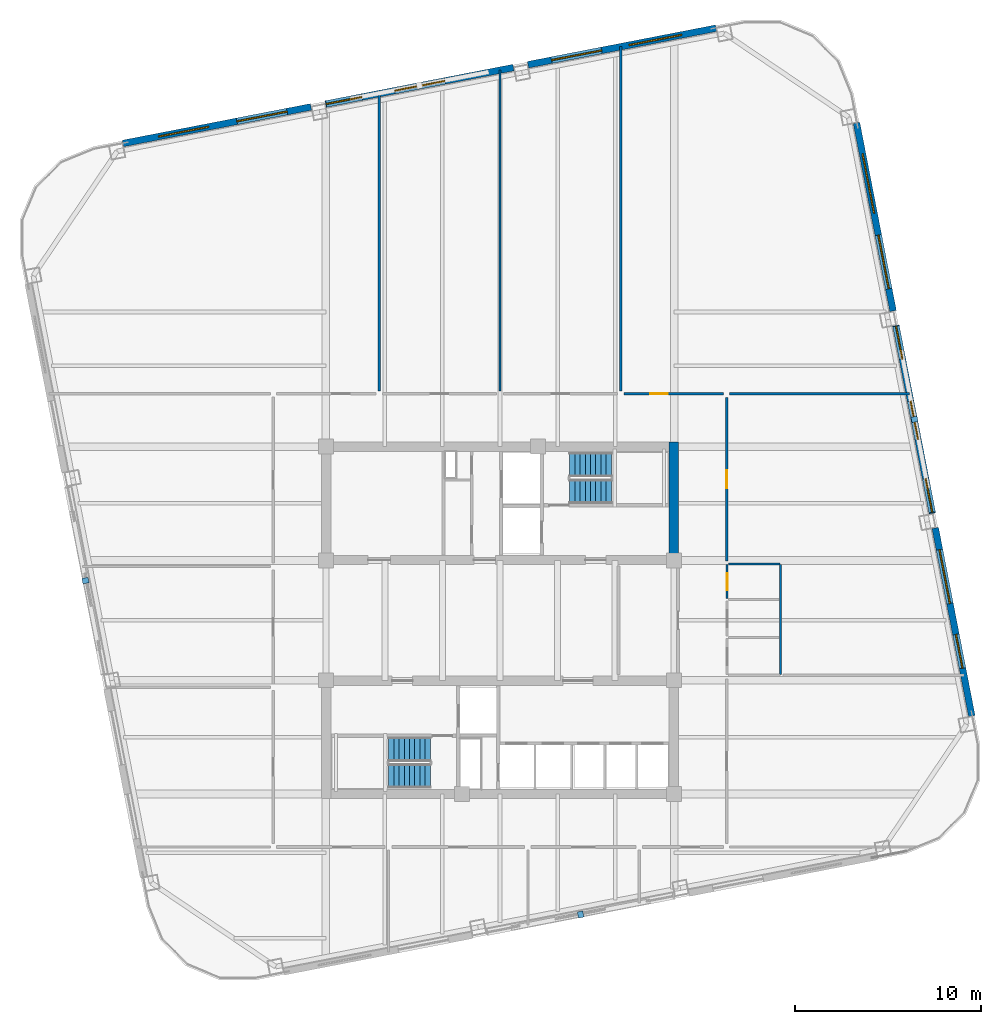
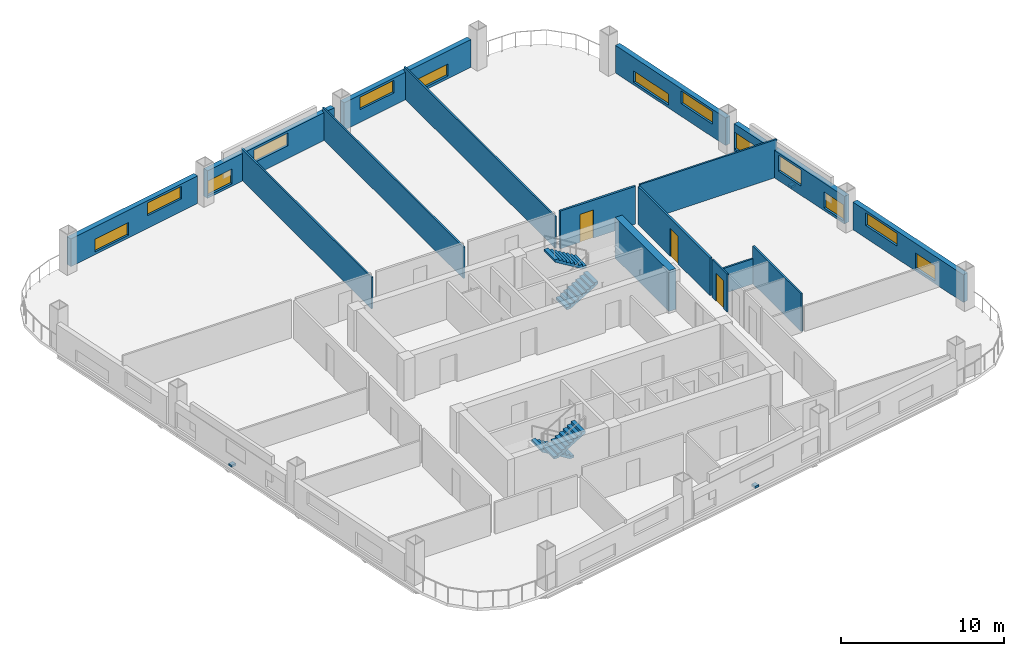
# One storey, part 5 of 9: 16 walls, 13 windows, 4 stair flights, 3 discrete accessories, 3 doors, 16 openings, 2 elements without a shape of their own.
"""IFC4 building model written with IfcOpenShell, lengths in metres."""

from ifc_helpers import new_model, si_unit, direction, frame, frame_2d, origin, origin_2d, place, context, subcontext, project, spatial, polyline, rectangle, outline, extrude, material, layer, layer_set, type_object, element, fill, aggregate, save


model = new_model("IFC4")

# Units and contexts
model_context = context("Model", 3, precision=1e-05, world=origin(), true_north=direction((0.0, 1.0)))
body_context = subcontext(model_context, "Body", "Model", "MODEL_VIEW")
ifc_project = project(units=[si_unit("LENGTHUNIT", "METRE"), si_unit("AREAUNIT", "SQUARE_METRE"), si_unit("VOLUMEUNIT", "CUBIC_METRE"), si_unit("PLANEANGLEUNIT", "RADIAN"), si_unit("MASSUNIT", "GRAM", prefix="KILO")], contexts=[model_context])

# Site, building, storey
site_placement = place(None, origin())
site = spatial("IfcSite", under=ifc_project, at=site_placement, CompositionType="ELEMENT")
building_placement = place(site_placement, origin())
building = spatial("IfcBuilding", under=site, at=building_placement, Name="Qhalaya Broadcast Tower", CompositionType="ELEMENT")
storey_placement = place(building_placement, frame((0.0, 0.0, 134.14990234375)))
storey = spatial("IfcBuildingStorey", under=building, at=storey_placement, Name="L39", CompositionType="ELEMENT", Elevation=134.14990234375)

# Wall, opening, door
ifc_material_1 = material(Name="Gypsum Acoustic Partition")
ifc_layer_1 = layer(ifc_material_1, 0.14990234375, Name="Gypsum Acoustic Partition")
ifc_layer_set_1 = layer_set([ifc_layer_1], Name="Gypsum Acoustic Partition")
wall_type_1 = type_object("IfcWallType", Name="Corridor & Tenancy Acoustic Partition 150", PredefinedType="PARTITIONING", material=ifc_layer_set_1)
wall_1_placement = place(storey_placement, frame((6.679931640625, 12.800048828125, 0.0), z_axis=(0.0, 0.0, 1.0), x_axis=(1.0, 0.0, 0.0)))
wall_1 = element("IfcWall", 1, at=wall_1_placement, inside=storey, type_object=wall_type_1, Name="L39 Partition Wall W-COR-04", PredefinedType="PARTITIONING", context=body_context, shape_type="SweptSolid", body=[
    extrude(rectangle(XDim=5.340087890625, YDim=0.14990234375, at=frame_2d((2.669921875, 0.0))), origin(), (0.0, 0.0, 1.0), 2.830078125),
])
opening_1_placement = place(wall_1_placement, frame((1.39501953125, 0.0, 0.0)))
opening_1 = element("IfcOpeningElement", 2, at=opening_1_placement, cuts=wall_1, Name="Opening D10", PredefinedType="OPENING", context=body_context, shape_type="SweptSolid", body=[
    extrude(rectangle(XDim=0.949951171875, YDim=2.10009765625, at=frame_2d((0.47509765625, 1.050048828125))), frame((0.0, 0.0869140625, 0.0), z_axis=(0.0, -1.0, 0.0), x_axis=(1.0, 0.0, 0.0)), (0.0, 0.0, 1.0), 0.173828125),
])
ifc_material_2 = material(Name="Timber Veneer Acoustic Door", Category="wood")
door_type_1 = type_object("IfcDoorType", Name="Cellular Office & Edit Booth Door D10", OperationType="NOTDEFINED", PredefinedType="DOOR", material=ifc_material_2)
door_1_placement = place(opening_1_placement, origin())
door_1 = element("IfcDoor", 3, at=door_1_placement, inside=storey, type_object=door_type_1, Name="L39 Door D-RM04", OperationType="SINGLE_SWING_RIGHT", OverallHeight=2.10009765625, OverallWidth=0.949951171875, PredefinedType="DOOR", context=body_context, shape_type="SweptSolid", body=[
    extrude(rectangle(XDim=0.949951171875, YDim=2.10009765625, at=frame_2d((0.47509765625, 1.050048828125))), frame((0.0, 0.02490234375, 0.0), z_axis=(0.0, -1.0, 0.0), x_axis=(1.0, 0.0, 0.0)), (0.0, 0.0, 1.0), 0.050048828125),
])
fill(opening_1, door_1)

wall_2_placement = place(storey_placement, frame((12.199951171875, 3.800048828125, 0.0), z_axis=(0.0, 0.0, 1.0), x_axis=(0.0, 1.0, 0.0)))
wall_2 = element("IfcWall", 4, at=wall_2_placement, inside=storey, type_object=wall_type_1, Name="L39 Partition Wall W-COR-13", PredefinedType="PARTITIONING", context=body_context, shape_type="SweptSolid", body=[
    extrude(rectangle(XDim=8.800048828125, YDim=0.14990234375, at=frame_2d((4.39990234375, 0.0))), origin(), (0.0, 0.0, 1.0), 2.830078125),
])
opening_2_placement = place(wall_2_placement, frame((3.925048828125, 0.0, 0.0)))
opening_2 = element("IfcOpeningElement", 5, at=opening_2_placement, cuts=wall_2, Name="Opening D10", PredefinedType="OPENING", context=body_context, shape_type="SweptSolid", body=[
    extrude(rectangle(XDim=0.949951171875, YDim=2.10009765625, at=frame_2d((0.47509765625, 1.050048828125))), frame((0.0, 0.0869140625, 0.0), z_axis=(0.0, -1.0, 0.0), x_axis=(1.0, 0.0, 0.0)), (0.0, 0.0, 1.0), 0.173828125),
])
door_2_placement = place(opening_2_placement, origin())
door_2 = element("IfcDoor", 6, at=door_2_placement, inside=storey, type_object=door_type_1, Name="L39 Door D-RM13", OperationType="SINGLE_SWING_LEFT", OverallHeight=2.10009765625, OverallWidth=0.949951171875, PredefinedType="DOOR", context=body_context, shape_type="SweptSolid", body=[
    extrude(rectangle(XDim=0.949951171875, YDim=2.10009765625, at=frame_2d((0.47509765625, 1.050048828125))), frame((0.0, 0.02490234375, 0.0), z_axis=(0.0, -1.0, 0.0), x_axis=(1.0, 0.0, 0.0)), (0.0, 0.0, 1.0), 0.050048828125),
])
fill(opening_2, door_2)

# Wall, openings, windows
ifc_material_3 = material(Name="Precast Concrete C40/50", Category="concrete")
ifc_layer_2 = layer(ifc_material_3, 0.360107421875, Name="Precast Concrete C40/50")
ifc_layer_set_2 = layer_set([ifc_layer_2], Name="Precast Concrete C40/50")
wall_type_2 = type_object("IfcWallType", Name="Insulated Precast Terracotta Exterior Wall 360", PredefinedType="SOLIDWALL", material=ifc_layer_set_2)
wall_3_placement = place(storey_placement, frame((19.189697265625, 27.37646484375, 0.0), z_axis=(0.0, 0.0, 1.0), x_axis=(0.190822765986, -0.981624506612, 0.0)))
wall_3 = element("IfcWall", 7, at=wall_3_placement, inside=storey, type_object=wall_type_2, Name="L39 Exoskeleton Diagrid Infill Wall E1", PredefinedType="SOLIDWALL", context=body_context, shape_type="SweptSolid", body=[
    extrude(rectangle(XDim=10.31201171875, YDim=0.360107421875, at=frame_2d((5.156005859375, 0.0))), origin(), (0.0, 0.0, 1.0), 2.067138671875),
])
opening_3_placement = place(wall_3_placement, frame((1.699951171875, 0.0, 0.199951171875)))
opening_3 = element("IfcOpeningElement", 8, at=opening_3_placement, cuts=wall_3, Name="Opening W11", PredefinedType="OPENING", context=body_context, shape_type="SweptSolid", body=[
    extrude(rectangle(XDim=3.25, YDim=0.85009765625, at=frame_2d((1.625, 0.425048828125))), frame((0.0, 0.192138671875, 0.0), z_axis=(0.0, -1.0, 0.0), x_axis=(1.0, 0.0, 0.0)), (0.0, 0.0, 1.0), 0.384033203125),
])
opening_4_placement = place(wall_3_placement, frame((6.14990234375, 0.0, 0.949951171875)))
opening_4 = element("IfcOpeningElement", 9, at=opening_4_placement, cuts=wall_3, Name="Opening W11", PredefinedType="OPENING", context=body_context, shape_type="SweptSolid", body=[
    extrude(rectangle(XDim=2.949951171875, YDim=0.949951171875, at=frame_2d((1.47509765625, 0.47509765625))), frame((0.0, 0.192138671875, 0.0), z_axis=(0.0, -1.0, 0.0), x_axis=(1.0, 0.0, 0.0)), (0.0, 0.0, 1.0), 0.384033203125),
])
ifc_material_4 = material(Name="Solar-Control Low-E Triple Glazing", Category="glass")
window_type = type_object("IfcWindowType", Name="Odd-Block Diagrid Infill Window W11", PartitioningType="SINGLE_PANEL", PredefinedType="WINDOW", material=ifc_material_4)
window_1_placement = place(opening_3_placement, origin())
window_1 = element("IfcWindow", 10, at=window_1_placement, inside=storey, type_object=window_type, Name="L39 Diagrid Infill Window W11-E1", OverallHeight=0.85009765625, OverallWidth=3.25, PartitioningType="SINGLE_PANEL", PredefinedType="WINDOW", context=body_context, shape_type="SweptSolid", body=[
    extrude(rectangle(XDim=3.25, YDim=0.85009765625, at=frame_2d((1.625, 0.425048828125))), frame((0.0, 0.030029296875, 0.0), z_axis=(0.0, -1.0, 0.0), x_axis=(1.0, 0.0, 0.0)), (0.0, 0.0, 1.0), 0.06005859375),
])
fill(opening_3, window_1)
window_2_placement = place(opening_4_placement, origin())
window_2 = element("IfcWindow", 11, at=window_2_placement, inside=storey, type_object=window_type, Name="L39 Diagrid Infill Window W11-E2", OverallHeight=0.949951171875, OverallWidth=2.949951171875, PartitioningType="SINGLE_PANEL", PredefinedType="WINDOW", context=body_context, shape_type="SweptSolid", body=[
    extrude(rectangle(XDim=2.949951171875, YDim=0.949951171875, at=frame_2d((1.47509765625, 0.47509765625))), frame((0.0, 0.030029296875, 0.0), z_axis=(0.0, -1.0, 0.0), x_axis=(1.0, 0.0, 0.0)), (0.0, 0.0, 1.0), 0.06005859375),
])
fill(opening_4, window_2)

wall_4_placement = place(storey_placement, frame((21.31005859375, 16.468505859375, 0.0), z_axis=(0.0, 0.0, 1.0), x_axis=(0.190811924826, -0.981626614016, 0.0)))
wall_4 = element("IfcWall", 12, at=wall_4_placement, inside=storey, type_object=wall_type_2, Name="L39 Exoskeleton Diagrid Infill Wall E2", PredefinedType="SOLIDWALL", context=body_context, shape_type="SweptSolid", body=[
    extrude(rectangle(XDim=10.2998046875, YDim=0.360107421875, at=frame_2d((5.14990234375, 0.0))), origin(), (0.0, 0.0, 1.0), 2.067138671875),
])
opening_5_placement = place(wall_4_placement, frame((0.0380859375, 0.0, 0.199951171875)))
opening_5 = element("IfcOpeningElement", 13, at=opening_5_placement, cuts=wall_4, Name="Opening W11", PredefinedType="OPENING", context=body_context, shape_type="SweptSolid", body=[
    extrude(rectangle(XDim=1.800048828125, YDim=1.25, at=frame_2d((0.89990234375, 0.625))), frame((0.0, 0.192138671875, 0.0), z_axis=(0.0, -1.0, 0.0), x_axis=(1.0, 0.0, 0.0)), (0.0, 0.0, 1.0), 0.384033203125),
])
opening_6_placement = place(wall_4_placement, frame((4.137939453125, 0.0, 0.699951171875)))
opening_6 = element("IfcOpeningElement", 14, at=opening_6_placement, cuts=wall_4, Name="Opening W11", PredefinedType="OPENING", context=body_context, shape_type="SweptSolid", body=[
    extrude(rectangle(XDim=2.10009765625, YDim=1.199951171875, at=frame_2d((1.050048828125, 0.60009765625))), frame((0.0, 0.192138671875, 0.0), z_axis=(0.0, -1.0, 0.0), x_axis=(1.0, 0.0, 0.0)), (0.0, 0.0, 1.0), 0.384033203125),
])
opening_7_placement = place(wall_4_placement, frame((8.387939453125, 0.0, 0.199951171875)))
opening_7 = element("IfcOpeningElement", 15, at=opening_7_placement, cuts=wall_4, Name="Opening W11", PredefinedType="OPENING", context=body_context, shape_type="SweptSolid", body=[
    extrude(rectangle(XDim=1.85009765625, YDim=1.199951171875, at=frame_2d((0.925048828125, 0.60009765625))), frame((0.0, 0.192138671875, 0.0), z_axis=(0.0, -1.0, 0.0), x_axis=(1.0, 0.0, 0.0)), (0.0, 0.0, 1.0), 0.384033203125),
])
window_3_placement = place(opening_5_placement, origin())
window_3 = element("IfcWindow", 16, at=window_3_placement, inside=storey, type_object=window_type, Name="L39 Diagrid Infill Window W11-E3", OverallHeight=1.25, OverallWidth=1.800048828125, PartitioningType="SINGLE_PANEL", PredefinedType="WINDOW", context=body_context, shape_type="SweptSolid", body=[
    extrude(rectangle(XDim=1.800048828125, YDim=1.25, at=frame_2d((0.89990234375, 0.625))), frame((0.0, 0.030029296875, 0.0), z_axis=(0.0, -1.0, 0.0), x_axis=(1.0, 0.0, 0.0)), (0.0, 0.0, 1.0), 0.06005859375),
])
fill(opening_5, window_3)
window_4_placement = place(opening_6_placement, origin())
window_4 = element("IfcWindow", 17, at=window_4_placement, inside=storey, type_object=window_type, Name="L39 Diagrid Infill Window W11-E4", OverallHeight=1.199951171875, OverallWidth=2.10009765625, PartitioningType="SINGLE_PANEL", PredefinedType="WINDOW", context=body_context, shape_type="SweptSolid", body=[
    extrude(rectangle(XDim=2.10009765625, YDim=1.199951171875, at=frame_2d((1.050048828125, 0.60009765625))), frame((0.0, 0.030029296875, 0.0), z_axis=(0.0, -1.0, 0.0), x_axis=(1.0, 0.0, 0.0)), (0.0, 0.0, 1.0), 0.06005859375),
])
fill(opening_6, window_4)
window_5_placement = place(opening_7_placement, origin())
window_5 = element("IfcWindow", 18, at=window_5_placement, inside=storey, type_object=window_type, Name="L39 Diagrid Infill Window W11-E5", OverallHeight=1.199951171875, OverallWidth=1.85009765625, PartitioningType="SINGLE_PANEL", PredefinedType="WINDOW", context=body_context, shape_type="SweptSolid", body=[
    extrude(rectangle(XDim=1.85009765625, YDim=1.199951171875, at=frame_2d((0.925048828125, 0.60009765625))), frame((0.0, 0.030029296875, 0.0), z_axis=(0.0, -1.0, 0.0), x_axis=(1.0, 0.0, 0.0)), (0.0, 0.0, 1.0), 0.06005859375),
])
fill(opening_7, window_5)

wall_5_placement = place(storey_placement, frame((23.427978515625, 5.572509765625, 0.0), z_axis=(0.0, 0.0, 1.0), x_axis=(0.190827200853, -0.981623644486, 0.0)))
wall_5 = element("IfcWall", 19, at=wall_5_placement, inside=storey, type_object=wall_type_2, Name="L39 Exoskeleton Diagrid Infill Wall E3", PredefinedType="SOLIDWALL", context=body_context, shape_type="SweptSolid", body=[
    extrude(rectangle(XDim=10.311767578125, YDim=0.360107421875, at=frame_2d((5.15576171875, 0.0))), origin(), (0.0, 0.0, 1.0), 2.067138671875),
])
opening_8_placement = place(wall_5_placement, frame((1.18798828125, 0.0, 0.949951171875)))
opening_8 = element("IfcOpeningElement", 20, at=opening_8_placement, cuts=wall_5, Name="Opening W11", PredefinedType="OPENING", context=body_context, shape_type="SweptSolid", body=[
    extrude(rectangle(XDim=2.949951171875, YDim=0.949951171875, at=frame_2d((1.47509765625, 0.47509765625))), frame((0.0, 0.192138671875, 0.0), z_axis=(0.0, -1.0, 0.0), x_axis=(1.0, 0.0, 0.0)), (0.0, 0.0, 1.0), 0.384033203125),
])
opening_9_placement = place(wall_5_placement, frame((5.837890625, 0.0, 0.199951171875)))
opening_9 = element("IfcOpeningElement", 21, at=opening_9_placement, cuts=wall_5, Name="Opening W11", PredefinedType="OPENING", context=body_context, shape_type="SweptSolid", body=[
    extrude(rectangle(XDim=1.85009765625, YDim=1.14990234375, at=frame_2d((0.925048828125, 0.574951171875))), frame((0.0, 0.192138671875, 0.0), z_axis=(0.0, -1.0, 0.0), x_axis=(1.0, 0.0, 0.0)), (0.0, 0.0, 1.0), 0.384033203125),
])
window_6_placement = place(opening_8_placement, origin())
window_6 = element("IfcWindow", 22, at=window_6_placement, inside=storey, type_object=window_type, Name="L39 Diagrid Infill Window W11-E6", OverallHeight=0.949951171875, OverallWidth=2.949951171875, PartitioningType="SINGLE_PANEL", PredefinedType="WINDOW", context=body_context, shape_type="SweptSolid", body=[
    extrude(rectangle(XDim=2.949951171875, YDim=0.949951171875, at=frame_2d((1.47509765625, 0.47509765625))), frame((0.0, 0.030029296875, 0.0), z_axis=(0.0, -1.0, 0.0), x_axis=(1.0, 0.0, 0.0)), (0.0, 0.0, 1.0), 0.06005859375),
])
fill(opening_8, window_6)
window_7_placement = place(opening_9_placement, origin())
window_7 = element("IfcWindow", 23, at=window_7_placement, inside=storey, type_object=window_type, Name="L39 Diagrid Infill Window W11-E7", OverallHeight=1.14990234375, OverallWidth=1.85009765625, PartitioningType="SINGLE_PANEL", PredefinedType="WINDOW", context=body_context, shape_type="SweptSolid", body=[
    extrude(rectangle(XDim=1.85009765625, YDim=1.14990234375, at=frame_2d((0.925048828125, 0.574951171875))), frame((0.0, 0.030029296875, 0.0), z_axis=(0.0, -1.0, 0.0), x_axis=(1.0, 0.0, 0.0)), (0.0, 0.0, 1.0), 0.06005859375),
])
fill(opening_9, window_7)

wall_6_placement = place(storey_placement, frame((-20.29638671875, 26.269775390625, 0.0), z_axis=(0.0, 0.0, 1.0), x_axis=(0.981628941133, 0.190799952646, 0.0)))
wall_6 = element("IfcWall", 24, at=wall_6_placement, inside=storey, type_object=wall_type_2, Name="L39 Exoskeleton Diagrid Infill Wall N1", PredefinedType="SOLIDWALL", context=body_context, shape_type="SweptSolid", body=[
    extrude(rectangle(XDim=10.31201171875, YDim=0.360107421875, at=frame_2d((5.156005859375, 0.0))), origin(), (0.0, 0.0, 1.0), 2.067138671875),
])
opening_10_placement = place(wall_6_placement, frame((1.949951171875, 0.0, 0.199951171875)))
opening_10 = element("IfcOpeningElement", 25, at=opening_10_placement, cuts=wall_6, Name="Opening W11", PredefinedType="OPENING", context=body_context, shape_type="SweptSolid", body=[
    extrude(rectangle(XDim=2.75, YDim=0.949951171875, at=frame_2d((1.375, 0.47509765625))), frame((0.0, 0.192138671875, 0.0), z_axis=(0.0, -1.0, 0.0), x_axis=(1.0, 0.0, 0.0)), (0.0, 0.0, 1.0), 0.384033203125),
])
opening_11_placement = place(wall_6_placement, frame((6.25, 0.0, 0.949951171875)))
opening_11 = element("IfcOpeningElement", 26, at=opening_11_placement, cuts=wall_6, Name="Opening W11", PredefinedType="OPENING", context=body_context, shape_type="SweptSolid", body=[
    extrude(rectangle(XDim=2.75, YDim=0.949951171875, at=frame_2d((1.375, 0.47509765625))), frame((0.0, 0.192138671875, 0.0), z_axis=(0.0, -1.0, 0.0), x_axis=(1.0, 0.0, 0.0)), (0.0, 0.0, 1.0), 0.384033203125),
])
window_8_placement = place(opening_10_placement, origin())
window_8 = element("IfcWindow", 27, at=window_8_placement, inside=storey, type_object=window_type, Name="L39 Diagrid Infill Window W11-N1", OverallHeight=0.949951171875, OverallWidth=2.75, PartitioningType="SINGLE_PANEL", PredefinedType="WINDOW", context=body_context, shape_type="SweptSolid", body=[
    extrude(rectangle(XDim=2.75, YDim=0.949951171875, at=frame_2d((1.375, 0.47509765625))), frame((0.0, 0.030029296875, 0.0), z_axis=(0.0, -1.0, 0.0), x_axis=(1.0, 0.0, 0.0)), (0.0, 0.0, 1.0), 0.06005859375),
])
fill(opening_10, window_8)
window_9_placement = place(opening_11_placement, origin())
window_9 = element("IfcWindow", 28, at=window_9_placement, inside=storey, type_object=window_type, Name="L39 Diagrid Infill Window W11-N2", OverallHeight=0.949951171875, OverallWidth=2.75, PartitioningType="SINGLE_PANEL", PredefinedType="WINDOW", context=body_context, shape_type="SweptSolid", body=[
    extrude(rectangle(XDim=2.75, YDim=0.949951171875, at=frame_2d((1.375, 0.47509765625))), frame((0.0, 0.030029296875, 0.0), z_axis=(0.0, -1.0, 0.0), x_axis=(1.0, 0.0, 0.0)), (0.0, 0.0, 1.0), 0.06005859375),
])
fill(opening_11, window_9)

wall_7_placement = place(storey_placement, frame((-9.388671875, 28.39013671875, 0.0), z_axis=(0.0, 0.0, 1.0), x_axis=(0.981627477005, 0.190807485147, 0.0)))
wall_7 = element("IfcWall", 29, at=wall_7_placement, inside=storey, type_object=wall_type_2, Name="L39 Exoskeleton Diagrid Infill Wall N2", PredefinedType="SOLIDWALL", context=body_context, shape_type="SweptSolid", body=[
    extrude(rectangle(XDim=10.300048828125, YDim=0.360107421875, at=frame_2d((5.14990234375, 0.0))), origin(), (0.0, 0.0, 1.0), 2.067138671875),
])
opening_12_placement = place(wall_7_placement, frame((0.0380859375, 0.0, 0.199951171875)))
opening_12 = element("IfcOpeningElement", 30, at=opening_12_placement, cuts=wall_7, Name="Opening W11", PredefinedType="OPENING", context=body_context, shape_type="SweptSolid", body=[
    extrude(rectangle(XDim=1.949951171875, YDim=1.10009765625, at=frame_2d((0.97509765625, 0.550048828125))), frame((0.0, 0.192138671875, 0.0), z_axis=(0.0, -1.0, 0.0), x_axis=(1.0, 0.0, 0.0)), (0.0, 0.0, 1.0), 0.384033203125),
])
opening_13_placement = place(wall_7_placement, frame((3.7880859375, 0.0, 0.949951171875)))
opening_13 = element("IfcOpeningElement", 31, at=opening_13_placement, cuts=wall_7, Name="Opening W11", PredefinedType="OPENING", context=body_context, shape_type="SweptSolid", body=[
    extrude(rectangle(XDim=2.75, YDim=0.949951171875, at=frame_2d((1.375, 0.47509765625))), frame((0.0, 0.192138671875, 0.0), z_axis=(0.0, -1.0, 0.0), x_axis=(1.0, 0.0, 0.0)), (0.0, 0.0, 1.0), 0.384033203125),
])
window_10_placement = place(opening_12_placement, origin())
window_10 = element("IfcWindow", 32, at=window_10_placement, inside=storey, type_object=window_type, Name="L39 Diagrid Infill Window W11-N3", OverallHeight=1.10009765625, OverallWidth=1.949951171875, PartitioningType="SINGLE_PANEL", PredefinedType="WINDOW", context=body_context, shape_type="SweptSolid", body=[
    extrude(rectangle(XDim=1.949951171875, YDim=1.10009765625, at=frame_2d((0.97509765625, 0.550048828125))), frame((0.0, 0.030029296875, 0.0), z_axis=(0.0, -1.0, 0.0), x_axis=(1.0, 0.0, 0.0)), (0.0, 0.0, 1.0), 0.06005859375),
])
fill(opening_12, window_10)
window_11_placement = place(opening_13_placement, origin())
window_11 = element("IfcWindow", 33, at=window_11_placement, inside=storey, type_object=window_type, Name="L39 Diagrid Infill Window W11-N4", OverallHeight=0.949951171875, OverallWidth=2.75, PartitioningType="SINGLE_PANEL", PredefinedType="WINDOW", context=body_context, shape_type="SweptSolid", body=[
    extrude(rectangle(XDim=2.75, YDim=0.949951171875, at=frame_2d((1.375, 0.47509765625))), frame((0.0, 0.030029296875, 0.0), z_axis=(0.0, -1.0, 0.0), x_axis=(1.0, 0.0, 0.0)), (0.0, 0.0, 1.0), 0.06005859375),
])
fill(opening_13, window_11)

wall_8_placement = place(storey_placement, frame((1.50732421875, 30.508056640625, 0.0), z_axis=(0.0, 0.0, 1.0), x_axis=(0.981628941133, 0.190799952646, 0.0)))
wall_8 = element("IfcWall", 34, at=wall_8_placement, inside=storey, type_object=wall_type_2, Name="L39 Exoskeleton Diagrid Infill Wall N3", PredefinedType="SOLIDWALL", context=body_context, shape_type="SweptSolid", body=[
    extrude(rectangle(XDim=10.31201171875, YDim=0.360107421875, at=frame_2d((5.156005859375, 0.0))), origin(), (0.0, 0.0, 1.0), 2.067138671875),
])
opening_14_placement = place(wall_8_placement, frame((1.2880859375, 0.0, 0.949951171875)))
opening_14 = element("IfcOpeningElement", 35, at=opening_14_placement, cuts=wall_8, Name="Opening W11", PredefinedType="OPENING", context=body_context, shape_type="SweptSolid", body=[
    extrude(rectangle(XDim=2.75, YDim=0.949951171875, at=frame_2d((1.375, 0.47509765625))), frame((0.0, 0.192138671875, 0.0), z_axis=(0.0, -1.0, 0.0), x_axis=(1.0, 0.0, 0.0)), (0.0, 0.0, 1.0), 0.384033203125),
])
opening_15_placement = place(wall_8_placement, frame((5.5380859375, 0.0, 0.199951171875)))
opening_15 = element("IfcOpeningElement", 36, at=opening_15_placement, cuts=wall_8, Name="Opening W11", PredefinedType="OPENING", context=body_context, shape_type="SweptSolid", body=[
    extrude(rectangle(XDim=2.89990234375, YDim=0.89990234375, at=frame_2d((1.449951171875, 0.449951171875))), frame((0.0, 0.192138671875, 0.0), z_axis=(0.0, -1.0, 0.0), x_axis=(1.0, 0.0, 0.0)), (0.0, 0.0, 1.0), 0.384033203125),
])
window_12_placement = place(opening_14_placement, origin())
window_12 = element("IfcWindow", 37, at=window_12_placement, inside=storey, type_object=window_type, Name="L39 Diagrid Infill Window W11-N5", OverallHeight=0.949951171875, OverallWidth=2.75, PartitioningType="SINGLE_PANEL", PredefinedType="WINDOW", context=body_context, shape_type="SweptSolid", body=[
    extrude(rectangle(XDim=2.75, YDim=0.949951171875, at=frame_2d((1.375, 0.47509765625))), frame((0.0, 0.030029296875, 0.0), z_axis=(0.0, -1.0, 0.0), x_axis=(1.0, 0.0, 0.0)), (0.0, 0.0, 1.0), 0.06005859375),
])
fill(opening_14, window_12)
window_13_placement = place(opening_15_placement, origin())
window_13 = element("IfcWindow", 38, at=window_13_placement, inside=storey, type_object=window_type, Name="L39 Diagrid Infill Window W11-N6", OverallHeight=0.89990234375, OverallWidth=2.89990234375, PartitioningType="SINGLE_PANEL", PredefinedType="WINDOW", context=body_context, shape_type="SweptSolid", body=[
    extrude(rectangle(XDim=2.89990234375, YDim=0.89990234375, at=frame_2d((1.449951171875, 0.449951171875))), frame((0.0, 0.030029296875, 0.0), z_axis=(0.0, -1.0, 0.0), x_axis=(1.0, 0.0, 0.0)), (0.0, 0.0, 1.0), 0.06005859375),
])
fill(opening_15, window_13)

# Wall
ifc_material_5 = material(Name="Concrete C50/60", Category="concrete")
ifc_layer_3 = layer(ifc_material_5, 0.5, Name="Concrete C50/60")
ifc_layer_set_3 = layer_set([ifc_layer_3], Name="Concrete C50/60")
wall_type_3 = type_object("IfcWallType", Name="Mid Split-Core Shear Wall 500", PredefinedType="SHEAR", material=ifc_layer_set_3)
wall_9_placement = place(storey_placement, frame((9.35009765625, 3.60009765625, 0.0), z_axis=(0.0, 0.0, 1.0), x_axis=(0.0, 1.0, 0.0)))
element("IfcWall", 39, at=wall_9_placement, inside=storey, type_object=wall_type_3, Name="L39 Split-Core Shear Wall CW-NE", PredefinedType="SHEAR", context=body_context, shape_type="SweptSolid", body=[
    extrude(rectangle(XDim=6.599853515625, YDim=0.5, at=frame_2d((3.2998046875, 0.0))), origin(), (0.0, 0.0, 1.0), 3.050048828125),
])

# Wall, opening, door
ifc_layer_4 = layer(ifc_material_1, 0.1201171875, Name="Gypsum Acoustic Partition")
ifc_layer_set_4 = layer_set([ifc_layer_4], Name="Gypsum Acoustic Partition")
wall_type_4 = type_object("IfcWallType", Name="Office, Booth & Sanitary Partition 120", PredefinedType="PARTITIONING", material=ifc_layer_set_4)
wall_10_placement = place(storey_placement, frame((12.219970703125, 1.780029296875, 0.0), z_axis=(0.0, 0.0, 1.0), x_axis=(0.0, 1.0, 0.0)))
wall_10 = element("IfcWall", 40, at=wall_10_placement, inside=storey, type_object=wall_type_4, Name="L39 Partition Wall W-WCWF", PredefinedType="PARTITIONING", context=body_context, shape_type="SweptSolid", body=[
    extrude(rectangle(XDim=1.830078125, YDim=0.1201171875, at=frame_2d((0.9150390625, 0.0))), origin(), (0.0, 0.0, 1.0), 2.830078125),
])
opening_16_placement = place(wall_10_placement, frame((0.43994140625, 0.0, 0.0)))
opening_16 = element("IfcOpeningElement", 41, at=opening_16_placement, cuts=wall_10, Name="Opening D12", PredefinedType="OPENING", context=body_context, shape_type="SweptSolid", body=[
    extrude(rectangle(XDim=0.919921875, YDim=2.10009765625, at=frame_2d((0.4599609375, 1.050048828125))), frame((0.0, 0.072021484375, 0.0), z_axis=(0.0, -1.0, 0.0), x_axis=(1.0, 0.0, 0.0)), (0.0, 0.0, 1.0), 0.14404296875),
])
door_type_2 = type_object("IfcDoorType", Name="Accessible WC & Restroom Door D12", OperationType="NOTDEFINED", PredefinedType="DOOR", material=ifc_material_2)
door_3_placement = place(opening_16_placement, origin())
door_3 = element("IfcDoor", 42, at=door_3_placement, inside=storey, type_object=door_type_2, Name="L39 Door D-WCF", OperationType="SINGLE_SWING_LEFT", OverallHeight=2.10009765625, OverallWidth=0.919921875, PredefinedType="DOOR", context=body_context, shape_type="SweptSolid", body=[
    extrude(rectangle(XDim=0.919921875, YDim=2.10009765625, at=frame_2d((0.4599609375, 1.050048828125))), frame((0.0, 0.02490234375, 0.0), z_axis=(0.0, -1.0, 0.0), x_axis=(1.0, 0.0, 0.0)), (0.0, 0.0, 1.0), 0.050048828125),
])
fill(opening_16, door_3)

# Walls
wall_11_placement = place(storey_placement, frame((15.10009765625, -2.320068359375, 0.0), z_axis=(0.0, 0.0, 1.0), x_axis=(0.0, 1.0, 0.0)))
element("IfcWall", 43, at=wall_11_placement, inside=storey, type_object=wall_type_4, Name="L39 Partition Wall W-WCE", PredefinedType="PARTITIONING", context=body_context, shape_type="SweptSolid", body=[
    extrude(rectangle(XDim=5.93017578125, YDim=0.1201171875, at=frame_2d((2.965087890625, 0.0))), origin(), (0.0, 0.0, 1.0), 2.830078125),
])
wall_12_placement = place(storey_placement, frame((12.31005859375, 3.639892578125, 0.0), z_axis=(0.0, 0.0, 1.0), x_axis=(1.0, 0.0, 0.0)))
element("IfcWall", 44, at=wall_12_placement, inside=storey, type_object=wall_type_4, Name="L39 Partition Wall W-WCN", PredefinedType="PARTITIONING", context=body_context, shape_type="SweptSolid", body=[
    extrude(rectangle(XDim=2.760009765625, YDim=0.1201171875, at=frame_2d((1.3798828125, 0.0))), origin(), (0.0, 0.0, 1.0), 1.883056640625),
])
wall_13_placement = place(storey_placement, frame((12.340087890625, 12.800048828125, 0.0), z_axis=(0.0, 0.0, 1.0), x_axis=(1.0, 0.0, 0.0)))
element("IfcWall", 45, at=wall_13_placement, inside=storey, type_object=wall_type_4, Name="L39 Partition Wall W-BNDE1", PredefinedType="PARTITIONING", context=body_context, shape_type="SweptSolid", body=[
    extrude(rectangle(XDim=9.703369140625, YDim=0.1201171875, at=frame_2d((4.8515625, 0.0))), origin(), (0.0, 0.0, 1.0), 2.830078125),
])
wall_14_placement = place(storey_placement, frame((-6.5, 12.9599609375, 0.0), z_axis=(0.0, 0.0, 1.0), x_axis=(0.0, 1.0, 0.0)))
element("IfcWall", 46, at=wall_14_placement, inside=storey, type_object=wall_type_4, Name="L39 Partition Wall W-DIVN1", PredefinedType="PARTITIONING", context=body_context, shape_type="SweptSolid", body=[
    extrude(rectangle(XDim=16.011962890625, YDim=0.1201171875, at=frame_2d((8.005859375, 0.0))), origin(), (0.0, 0.0, 1.0), 2.34716796875),
])
wall_15_placement = place(storey_placement, frame((0.0, 12.9599609375, 0.0), z_axis=(0.0, 0.0, 1.0), x_axis=(0.0, 1.0, 0.0)))
element("IfcWall", 47, at=wall_15_placement, inside=storey, type_object=wall_type_4, Name="L39 Partition Wall W-DIVN2", PredefinedType="PARTITIONING", context=body_context, shape_type="SweptSolid", body=[
    extrude(rectangle(XDim=17.275390625, YDim=0.1201171875, at=frame_2d((8.6376953125, 0.0))), origin(), (0.0, 0.0, 1.0), 2.34716796875),
])
wall_16_placement = place(storey_placement, frame((6.5, 12.9599609375, 0.0), z_axis=(0.0, 0.0, 1.0), x_axis=(0.0, 1.0, 0.0)))
element("IfcWall", 48, at=wall_16_placement, inside=storey, type_object=wall_type_4, Name="L39 Partition Wall W-DIVN3", PredefinedType="PARTITIONING", context=body_context, shape_type="SweptSolid", body=[
    extrude(rectangle(XDim=18.538818359375, YDim=0.1201171875, at=frame_2d((9.26953125, 0.0))), origin(), (0.0, 0.0, 1.0), 2.34716796875),
])

# Stair, stair flights
ifc_material_6 = material(Name="Concrete C40/50", Category="concrete")
stair_type = type_object("IfcStairType", Name="Protected Dogleg Core Stair 3150", PredefinedType="TWO_STRAIGHT_RUN_STAIR", material=ifc_material_6)
stair_1_placement = place(storey_placement, origin())
stair_1 = element("IfcStair", 49, at=stair_1_placement, inside=storey, type_object=stair_type, Name="L39 North Core Exit Stair ST-1", PredefinedType="TWO_STRAIGHT_RUN_STAIR")
stair_flight_type = type_object("IfcStairFlightType", Name="Precast Concrete Stair Flight 3150", PredefinedType="STRAIGHT", material=ifc_material_3)
stair_flight_1_placement = place(storey_placement, frame((3.75, 7.5400390625, 0.0), z_axis=(0.0, 0.0, 1.0), x_axis=(1.0, 0.0, 0.0)))
stair_flight_1 = element("IfcStairFlight", 50, at=stair_flight_1_placement, type_object=stair_flight_type, Name="ST-1 flight 1", NumberOfRisers=9, NumberOfTreads=8, PredefinedType="STRAIGHT", RiserHeight=0.169444444, TreadLength=0.28, context=body_context, shape_type="SweptSolid", body=[
    extrude(outline(polyline([(0.0, 0.0), (0.0, 0.16943359375), (0.280029296875, 0.16943359375), (0.280029296875, 0.3388671875), (0.56005859375, 0.3388671875), (0.56005859375, 0.50830078125), (0.840087890625, 0.50830078125), (0.840087890625, 0.677734375), (1.1201171875, 0.677734375), (1.1201171875, 0.84716796875), (1.39990234375, 0.84716796875), (1.39990234375, 1.0166015625), (1.679931640625, 1.0166015625), (1.679931640625, 1.18603515625), (1.9599609375, 1.18603515625), (1.9599609375, 1.35546875), (2.239990234375, 1.35546875), (2.239990234375, 1.52490234375), (2.239990234375, 1.180419921875), (0.28955078125, 0.0), (0.0, 0.0)])), frame((0.0, 0.66015625, 0.0), z_axis=(0.0, -1.0, 0.0), x_axis=(1.0, 0.0, 0.0)), (0.0, 0.0, 1.0), 1.320068359375),
])
stair_flight_2_placement = place(storey_placement, frame((5.989990234375, 8.97998046875, 1.525146484375), z_axis=(0.0, 0.0, 1.0), x_axis=(-1.0, 0.0, 0.0)))
stair_flight_2 = element("IfcStairFlight", 51, at=stair_flight_2_placement, type_object=stair_flight_type, Name="ST-1 flight 2", NumberOfRisers=9, NumberOfTreads=8, PredefinedType="STRAIGHT", RiserHeight=0.169444444, TreadLength=0.28, context=body_context, shape_type="SweptSolid", body=[
    extrude(outline(polyline([(0.0, 0.0), (0.0, 0.16943359375), (0.280029296875, 0.16943359375), (0.280029296875, 0.3388671875), (0.56005859375, 0.3388671875), (0.56005859375, 0.50830078125), (0.840087890625, 0.50830078125), (0.840087890625, 0.677734375), (1.1201171875, 0.677734375), (1.1201171875, 0.84716796875), (1.39990234375, 0.84716796875), (1.39990234375, 1.0166015625), (1.679931640625, 1.0166015625), (1.679931640625, 1.18603515625), (1.9599609375, 1.18603515625), (1.9599609375, 1.35546875), (2.239990234375, 1.35546875), (2.239990234375, 1.52490234375), (2.239990234375, 1.180419921875), (0.28955078125, 0.0), (0.0, 0.0)])), frame((0.0, 0.66015625, 0.0), z_axis=(0.0, -1.0, 0.0), x_axis=(1.0, 0.0, 0.0)), (0.0, 0.0, 1.0), 1.320068359375),
])
aggregate(stair_1, [stair_flight_1, stair_flight_2])

stair_2_placement = place(storey_placement, origin())
stair_2 = element("IfcStair", 52, at=stair_2_placement, inside=storey, type_object=stair_type, Name="L39 South Core Exit Stair ST-2", PredefinedType="TWO_STRAIGHT_RUN_STAIR")
stair_flight_3_placement = place(storey_placement, frame((-3.75, -6.340087890625, 0.0), z_axis=(0.0, 0.0, 1.0), x_axis=(-1.0, 0.0, 0.0)))
stair_flight_3 = element("IfcStairFlight", 53, at=stair_flight_3_placement, type_object=stair_flight_type, Name="ST-2 flight 1", NumberOfRisers=9, NumberOfTreads=8, PredefinedType="STRAIGHT", RiserHeight=0.169444444, TreadLength=0.28, context=body_context, shape_type="SweptSolid", body=[
    extrude(outline(polyline([(0.0, 0.0), (0.0, 0.16943359375), (0.280029296875, 0.16943359375), (0.280029296875, 0.3388671875), (0.56005859375, 0.3388671875), (0.56005859375, 0.50830078125), (0.840087890625, 0.50830078125), (0.840087890625, 0.677734375), (1.1201171875, 0.677734375), (1.1201171875, 0.84716796875), (1.39990234375, 0.84716796875), (1.39990234375, 1.0166015625), (1.679931640625, 1.0166015625), (1.679931640625, 1.18603515625), (1.9599609375, 1.18603515625), (1.9599609375, 1.35546875), (2.239990234375, 1.35546875), (2.239990234375, 1.52490234375), (2.239990234375, 1.180419921875), (0.28955078125, 0.0), (0.0, 0.0)])), frame((0.0, 0.66015625, 0.0), z_axis=(0.0, -1.0, 0.0), x_axis=(1.0, 0.0, 0.0)), (0.0, 0.0, 1.0), 1.320068359375),
])
stair_flight_4_placement = place(storey_placement, frame((-5.989990234375, -7.780029296875, 1.525146484375), z_axis=(0.0, 0.0, 1.0), x_axis=(1.0, 0.0, 0.0)))
stair_flight_4 = element("IfcStairFlight", 54, at=stair_flight_4_placement, type_object=stair_flight_type, Name="ST-2 flight 2", NumberOfRisers=9, NumberOfTreads=8, PredefinedType="STRAIGHT", RiserHeight=0.169444444, TreadLength=0.28, context=body_context, shape_type="SweptSolid", body=[
    extrude(outline(polyline([(0.0, 0.0), (0.0, 0.16943359375), (0.280029296875, 0.16943359375), (0.280029296875, 0.3388671875), (0.56005859375, 0.3388671875), (0.56005859375, 0.50830078125), (0.840087890625, 0.50830078125), (0.840087890625, 0.677734375), (1.1201171875, 0.677734375), (1.1201171875, 0.84716796875), (1.39990234375, 0.84716796875), (1.39990234375, 1.0166015625), (1.679931640625, 1.0166015625), (1.679931640625, 1.18603515625), (1.9599609375, 1.18603515625), (1.9599609375, 1.35546875), (2.239990234375, 1.35546875), (2.239990234375, 1.52490234375), (2.239990234375, 1.180419921875), (0.28955078125, 0.0), (0.0, 0.0)])), frame((0.0, 0.66015625, 0.0), z_axis=(0.0, -1.0, 0.0), x_axis=(1.0, 0.0, 0.0)), (0.0, 0.0, 1.0), 1.320068359375),
])
aggregate(stair_2, [stair_flight_3, stair_flight_4])

# Discrete accessories
ifc_material_7 = material(Name="Structural Steel ASTM A572 Grade 50", Category="steel")
discrete_accessory_type = type_object("IfcDiscreteAccessoryType", Name="Facade Baguette Support Bracket BRK-01", PredefinedType="BRACKET", material=ifc_material_7)
for number, where, z_axis, x_axis, name in (
    (55, (4.337158203125, -15.232421875, 0.0), (0.0, 0.0, 1.0), (0.981627183448, 0.190808995377, 0.0), "L39 Baguette Support Bracket S"),
    (56, (22.3125, 11.4169921875, 0.0), (0.0, 0.0, 1.0), (-0.190808995377, 0.981627183448, 0.0), "L39 Baguette Support Bracket E"),
    (57, (-22.3125, 2.742919921875, 0.0), (0.0, 0.0, 1.0), (0.190808995377, -0.981627183448, 0.0), "L39 Baguette Support Bracket W"),
):
    element("IfcDiscreteAccessory", number, at=place(storey_placement, frame(where, z_axis=z_axis, x_axis=x_axis)), inside=storey, type_object=discrete_accessory_type, Name=name, PredefinedType="BRACKET", context=body_context, shape_type="SweptSolid", body=[
        extrude(rectangle(XDim=0.300048828125, YDim=0.340087890625, at=origin_2d()), origin(), (0.0, 0.0, 1.0), 0.159912109375),
    ])

save(model, "model.ifc")
